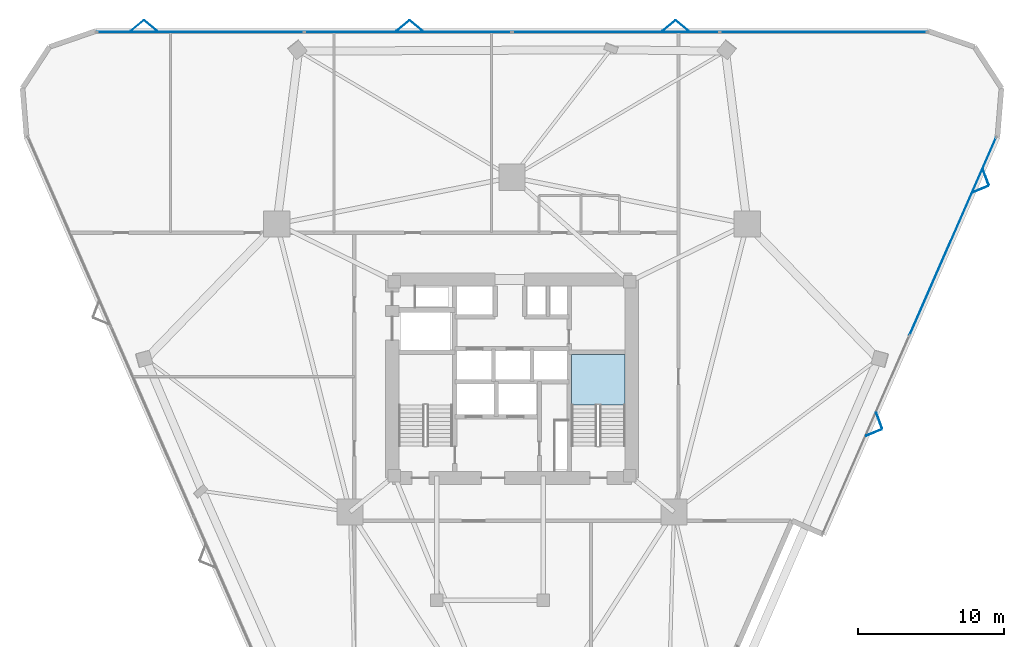
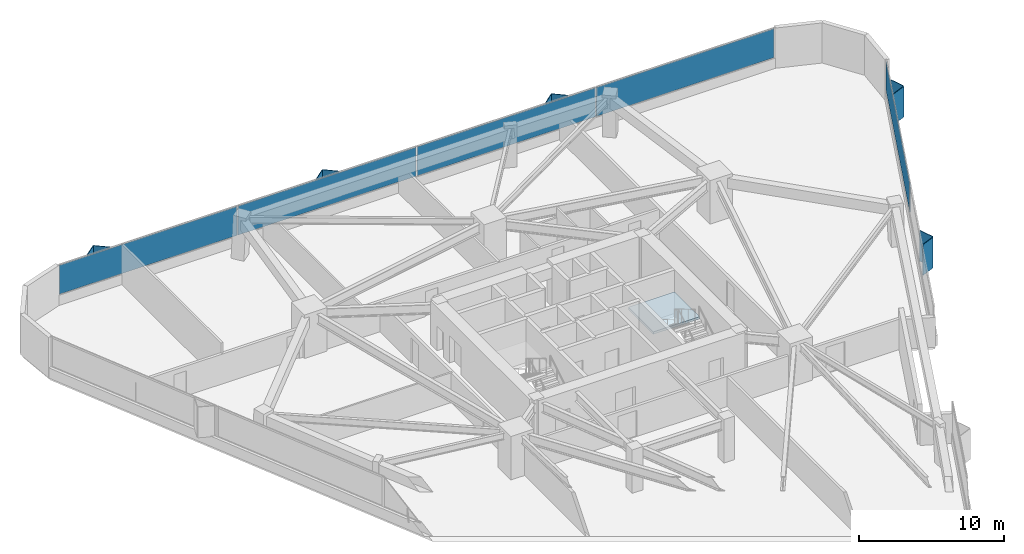
# One storey, part 11 of 14: 15 plates, 1 slab, 3 elements without a shape of their own.
"""IFC4 building model written with IfcOpenShell, lengths in metres."""

from ifc_helpers import new_model, si_unit, direction, frame, origin, origin_2d, place, context, subcontext, project, spatial, polyline, rectangle, outline, extrude, material, layer, layer_set, type_object, element, aggregate, save


model = new_model("IFC4")

# Units and contexts
model_context = context("Model", 3, precision=1e-05, world=origin(), true_north=direction((0.0, 1.0)))
body_context = subcontext(model_context, "Body", "Model", "MODEL_VIEW")
ifc_project = project(units=[si_unit("LENGTHUNIT", "METRE"), si_unit("AREAUNIT", "SQUARE_METRE"), si_unit("VOLUMEUNIT", "CUBIC_METRE"), si_unit("PLANEANGLEUNIT", "RADIAN"), si_unit("MASSUNIT", "GRAM", prefix="KILO")], contexts=[model_context])

# Site, building, storey
site_placement = place(None, origin())
site = spatial("IfcSite", under=ifc_project, at=site_placement, CompositionType="ELEMENT")
building_placement = place(site_placement, origin())
building = spatial("IfcBuilding", under=site, at=building_placement, Name="Talyreon Biosciences Tower", CompositionType="ELEMENT")
storey_placement = place(building_placement, frame((0.0, 0.0, 52.0)))
storey = spatial("IfcBuildingStorey", under=building, at=storey_placement, Name="L13", CompositionType="ELEMENT", Elevation=52.0)

# Curtain wall, plates
ifc_material_1 = material(Name="Thermally broken aluminium and low-E glazing", Category="aluminium")
ifc_layer_1 = layer(ifc_material_1, 0.205078125)
ifc_layer_set_1 = layer_set([ifc_layer_1], Name="Thermally broken aluminium and low-E glazing")
curtain_wall_type = type_object("IfcCurtainWallType", Name="CurtainWall_SkyGardenLoggia", PredefinedType="NOTDEFINED", material=ifc_layer_set_1)
curtain_wall_1_placement = place(storey_placement, origin())
curtain_wall_1 = element("IfcCurtainWall", 1, at=curtain_wall_1_placement, inside=storey, type_object=curtain_wall_type, Name="L13 Unitised Curtain Wall FCW-L13-03", PredefinedType="NOTDEFINED")
ifc_material_2 = material(Name="Acoustic laminated low-E insulated glazing", Category="glass")
ifc_layer_2 = layer(ifc_material_2, 0.0380859375)
ifc_layer_set_2 = layer_set([ifc_layer_2], Name="Acoustic laminated low-E insulated glazing")
plate_type_1 = type_object("IfcPlateType", Name="CWGlazingPanel_38", PredefinedType="CURTAIN_PANEL", material=ifc_layer_set_2)
plate_1_placement = place(storey_placement, frame((44.658203125, 91.74072265625, 0.875), z_axis=(0.0, 0.0, 1.0), x_axis=(1.0, 0.0, 0.0)))
plate_1 = element("IfcPlate", 2, at=plate_1_placement, type_object=plate_type_1, Name="CW7 panel 1.1", PredefinedType="CURTAIN_PANEL", context=body_context, shape_type="SweptSolid", body=[
    extrude(rectangle(XDim=14.1279296875, YDim=0.0380859375, at=origin_2d()), origin(), (0.0, 0.0, 1.0), 2.43505859375),
])
plate_2_placement = place(storey_placement, frame((58.8798828125, 91.74072265625, 0.875), z_axis=(0.0, 0.0, 1.0), x_axis=(1.0, 0.0, 0.0)))
plate_2 = element("IfcPlate", 3, at=plate_2_placement, type_object=plate_type_1, Name="CW7 panel 2.1", PredefinedType="CURTAIN_PANEL", context=body_context, shape_type="SweptSolid", body=[
    extrude(rectangle(XDim=14.165283203125, YDim=0.0380859375, at=origin_2d()), origin(), (0.0, 0.0, 1.0), 2.43505859375),
])
plate_3_placement = place(storey_placement, frame((73.1201171875, 91.74072265625, 0.875), z_axis=(0.0, 0.0, 1.0), x_axis=(1.0, 0.0, 0.0)))
plate_3 = element("IfcPlate", 4, at=plate_3_placement, type_object=plate_type_1, Name="CW7 panel 3.1", PredefinedType="CURTAIN_PANEL", context=body_context, shape_type="SweptSolid", body=[
    extrude(rectangle(XDim=14.165283203125, YDim=0.0380859375, at=origin_2d()), origin(), (0.0, 0.0, 1.0), 2.43505859375),
])
plate_4_placement = place(storey_placement, frame((87.341796875, 91.74072265625, 0.875), z_axis=(0.0, 0.0, 1.0), x_axis=(1.0, 0.0, 0.0)))
plate_4 = element("IfcPlate", 5, at=plate_4_placement, type_object=plate_type_1, Name="CW7 panel 4.1", PredefinedType="CURTAIN_PANEL", context=body_context, shape_type="SweptSolid", body=[
    extrude(rectangle(XDim=14.1279296875, YDim=0.0380859375, at=origin_2d()), origin(), (0.0, 0.0, 1.0), 2.43505859375),
])
aggregate(curtain_wall_1, [plate_1, plate_2, plate_3, plate_4])

# Curtain wall, plate
curtain_wall_2_placement = place(storey_placement, origin())
curtain_wall_2 = element("IfcCurtainWall", 6, at=curtain_wall_2_placement, inside=storey, type_object=curtain_wall_type, Name="L13 Unitised Curtain Wall FCW-L13-07", PredefinedType="NOTDEFINED")
plate_5_placement = place(storey_placement, frame((96.184814453125, 77.74755859375, 0.875), z_axis=(0.0, 0.0, 1.0), x_axis=(-0.401098211105, -0.91603505667, 0.0)))
plate_5 = element("IfcPlate", 7, at=plate_5_placement, type_object=plate_type_1, Name="CW7 panel 1.1", PredefinedType="CURTAIN_PANEL", context=body_context, shape_type="SweptSolid", body=[
    extrude(rectangle(XDim=14.7392578125, YDim=0.0380859375, at=origin_2d()), origin(), (0.0, 0.0, 1.0), 2.43505859375),
])
aggregate(curtain_wall_2, [plate_5])

# Plates
ifc_material_3 = material(Name="Ivory GFRC sunshade panel", Category="concrete")
ifc_layer_3 = layer(ifc_material_3, 0.044921875)
ifc_layer_set_3 = layer_set([ifc_layer_3], Name="Ivory GFRC sunshade panel")
plate_type_2 = type_object("IfcPlateType", Name="FoldedVSunshade_NorthFace_SUNSHADE", PredefinedType="USERDEFINED", material=ifc_layer_set_3)
for number, where, z_axis, x_axis, name in (
    (8, (40.339111328125, 92.1806640625, 0.7900390625), (0.0, 0.0, 1.0), (0.771624583388, 0.636078220278, 0.0), "L13 Folded V-Sunshade Panel 03.01L"),
    (9, (41.2392578125, 92.1806640625, 0.7900390625), (0.0, 0.0, 1.0), (0.771624583388, -0.636078220278, 0.0), "L13 Folded V-Sunshade Panel 03.01R"),
    (10, (58.539306640625, 92.1806640625, 0.7900390625), (0.0, 0.0, 1.0), (0.771624583388, 0.636078220278, 0.0), "L13 Folded V-Sunshade Panel 03.02L"),
    (11, (59.439208984375, 92.1806640625, 0.7900390625), (0.0, 0.0, 1.0), (0.771624583388, -0.636078220278, 0.0), "L13 Folded V-Sunshade Panel 03.02R"),
    (12, (76.7392578125, 92.1806640625, 0.7900390625), (0.0, 0.0, 1.0), (0.771624583388, 0.636078220278, 0.0), "L13 Folded V-Sunshade Panel 03.03L"),
    (13, (77.63916015625, 92.1806640625, 0.7900390625), (0.0, 0.0, 1.0), (0.771624583388, -0.636078220278, 0.0), "L13 Folded V-Sunshade Panel 03.03R"),
):
    element("IfcPlate", number, at=place(storey_placement, frame(where, z_axis=z_axis, x_axis=x_axis)), inside=storey, type_object=plate_type_2, Name=name, ObjectType="SUNSHADE", PredefinedType="USERDEFINED", context=body_context, shape_type="SweptSolid", body=[
        extrude(rectangle(XDim=1.14990234375, YDim=0.044921875, at=origin_2d()), origin(), (0.0, 0.0, 1.0), 2.5849609375),
    ])
ifc_layer_4 = layer(ifc_material_3, 0.044921875)
ifc_layer_set_4 = layer_set([ifc_layer_4], Name="Ivory GFRC sunshade panel")
plate_type_3 = type_object("IfcPlateType", Name="FoldedVSunshade_SunFace_SUNSHADE", PredefinedType="USERDEFINED", material=ifc_layer_set_4)
for number, where, z_axis, x_axis, name in (
    (14, (98.44287109375, 81.807373046875, 0.7900390625), (0.0, 0.0, 1.0), (0.347803073264, -0.937567609417, 0.0), "L13 Folded V-Sunshade Panel 07.01L"),
    (15, (98.081787109375, 80.98291015625, 0.7900390625), (0.0, 0.0, 1.0), (-0.924858316353, -0.380311838723, 0.0), "L13 Folded V-Sunshade Panel 07.01R"),
    (16, (91.142822265625, 65.135498046875, 0.7900390625), (0.0, 0.0, 1.0), (0.347803073264, -0.937567609417, 0.0), "L13 Folded V-Sunshade Panel 07.02L"),
    (17, (90.78173828125, 64.31103515625, 0.7900390625), (0.0, 0.0, 1.0), (-0.924858316353, -0.380311838723, 0.0), "L13 Folded V-Sunshade Panel 07.02R"),
):
    element("IfcPlate", number, at=place(storey_placement, frame(where, z_axis=z_axis, x_axis=x_axis)), inside=storey, type_object=plate_type_3, Name=name, ObjectType="SUNSHADE", PredefinedType="USERDEFINED", context=body_context, shape_type="SweptSolid", body=[
        extrude(rectangle(XDim=1.14990234375, YDim=0.044921875, at=origin_2d()), origin(), (0.0, 0.0, 1.0), 2.5849609375),
    ])

# Stair, slab
ifc_material_4 = material(Name="Concrete C40/50", Category="concrete")
stair_type = type_object("IfcStairType", Name="DoglegEscapeStair_3650", PredefinedType="HALF_TURN_STAIR", material=ifc_material_4)
stair_placement = place(storey_placement, origin())
stair = element("IfcStair", 18, at=stair_placement, inside=storey, type_object=stair_type, Name="L13 Core Escape Stair 2", PredefinedType="HALF_TURN_STAIR")
ifc_layer_5 = layer(ifc_material_4, 0.199951171875)
ifc_layer_set_5 = layer_set([ifc_layer_5], Name="Concrete C40/50")
slab_type = type_object("IfcSlabType", Name="StairLandingSlab_200", PredefinedType="LANDING", material=ifc_layer_set_5)
slab_placement = place(storey_placement, frame((0.0, 0.0, 1.625)))
slab = element("IfcSlab", 19, at=slab_placement, type_object=slab_type, Name="ST-2 landing 1", PredefinedType="LANDING", context=body_context, shape_type="SweptSolid", body=[
    extrude(outline(polyline([(73.75, 66.199951171875), (73.75, 69.64990234375), (70.070068359375, 69.64990234375), (70.070068359375, 66.199951171875), (73.75, 66.199951171875)])), origin(), (0.0, 0.0, 1.0), 0.199951171875),
])
aggregate(stair, [slab])

save(model, "model.ifc")
